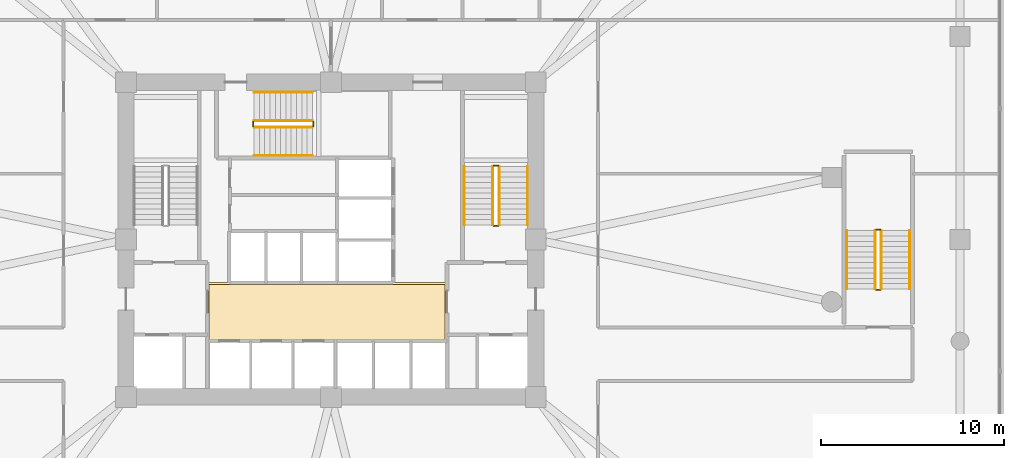
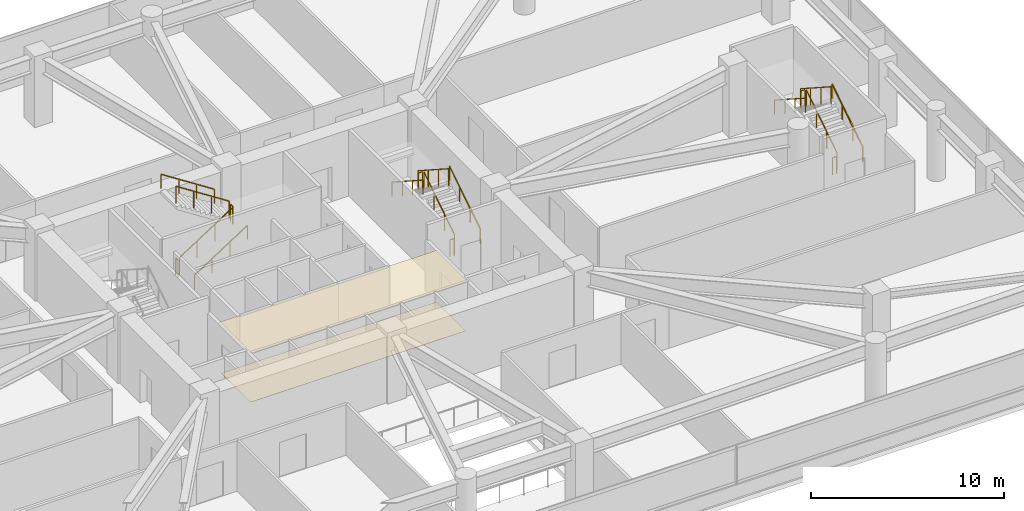
# One storey, part 21 of 21: 18 railings, 2 coverings.
"""IFC4 building model written with IfcOpenShell, lengths in metres."""

from ifc_helpers import new_model, si_unit, derived_unit, direction, frame, origin, origin_2d, place, context, subcontext, project, spatial, polyline, rectangle, outline, extrude, material, layer, layer_set, type_object, element, save


model = new_model("IFC4")

# Units and contexts
model_context = context("Model", 3, precision=1e-05, world=origin(), true_north=direction((0.0, 1.0)))
body_context = subcontext(model_context, "Body", "Model", "MODEL_VIEW")
ifc_project = project(units=[si_unit("LENGTHUNIT", "METRE"), si_unit("AREAUNIT", "SQUARE_METRE"), si_unit("VOLUMEUNIT", "CUBIC_METRE"), si_unit("PLANEANGLEUNIT", "RADIAN"), si_unit("MASSUNIT", "GRAM", prefix="KILO"), derived_unit("THERMALTRANSMITTANCEUNIT", [(si_unit("POWERUNIT", "WATT"), 1), (si_unit("LENGTHUNIT", "METRE"), -2), (si_unit("THERMODYNAMICTEMPERATUREUNIT", "KELVIN"), -1)])], contexts=[model_context])

# Site, building, storey
site_placement = place(None, origin())
site = spatial("IfcSite", under=ifc_project, at=site_placement, CompositionType="ELEMENT")
building_placement = place(site_placement, origin())
building = spatial("IfcBuilding", under=site, at=building_placement, Name="Koralith Skygarden Medical Center", CompositionType="ELEMENT")
storey_placement = place(building_placement, frame((0.0, 0.0, 5.39990234375)))
storey = spatial("IfcBuildingStorey", under=building, at=storey_placement, Name="L01", CompositionType="ELEMENT", Elevation=5.39990234375)

# Coverings
ifc_material_1 = material(Name="Acoustic Mineral Tile")
ifc_layer_1 = layer(ifc_material_1, 0.02001953125)
ifc_layer_set_1 = layer_set([ifc_layer_1], Name="Acoustic Mineral Tile")
covering_type_1 = type_object("IfcCoveringType", Name="Acoustic Hygienic Mineral Ceiling 20", PredefinedType="CEILING", material=ifc_layer_set_1)
covering_1_placement = place(storey_placement, frame((0.0, 0.0, 3.18505859375)))
element("IfcCovering", 1, at=covering_1_placement, inside=storey, type_object=covering_type_1, Name="L01 Core Lobby Acoustic Ceiling", PredefinedType="CEILING", context=body_context, shape_type="SweptSolid", body=[
    extrude(outline(polyline([(30.25, 20.320068359375), (43.35009765625, 20.320068359375), (43.35009765625, 23.56005859375), (30.25, 23.56005859375), (30.25, 20.320068359375)])), origin(), (0.0, 0.0, 1.0), 0.02001953125),
])
ifc_material_2 = material(Name="Medical Terrazzo Flooring")
ifc_layer_2 = layer(ifc_material_2, 0.014892578125)
ifc_layer_set_2 = layer_set([ifc_layer_2], Name="Medical Terrazzo Flooring")
covering_type_2 = type_object("IfcCoveringType", Name="Seamless Antimicrobial Terrazzo Flooring 15", PredefinedType="FLOORING", material=ifc_layer_set_2)
covering_2_placement = place(storey_placement, origin())
element("IfcCovering", 2, at=covering_2_placement, inside=storey, type_object=covering_type_2, Name="L01 Core Lobby Terrazzo Flooring", PredefinedType="FLOORING", context=body_context, shape_type="SweptSolid", body=[
    extrude(outline(polyline([(30.35009765625, 20.419921875), (43.25, 20.419921875), (43.25, 23.4599609375), (30.35009765625, 23.4599609375), (30.35009765625, 20.419921875)])), origin(), (0.0, 0.0, 1.0), 0.01513671875),
])

# Railings
ifc_material_3 = material(Name="Steel ASTM A500 Grade C", Category="steel")
railing_type_1 = type_object("IfcRailingType", Name="Stair Flight Tubular Handrail 920", PredefinedType="HANDRAIL", material=ifc_material_3)
railing_1_placement = place(storey_placement, frame((47.75, 26.699951171875, 0.1875)))
element("IfcRailing", 3, at=railing_1_placement, inside=storey, type_object=railing_type_1, Name="L01 ST2 stair handrail 1", PredefinedType="HANDRAIL", context=body_context, shape_type="SweptSolid", body=[
    extrude(rectangle(XDim=0.050048828125, YDim=0.050048828125, at=origin_2d()), frame((0.0, 0.001708984375, 0.89599609375), z_axis=(0.0, 0.839759782654, 0.542958108362), x_axis=(-1.0, 0.0, 0.0)), (0.0, 0.0, 1.0), 3.794677734375),
    extrude(rectangle(XDim=0.0419921875, YDim=0.0419921875, at=origin_2d()), origin(), (0.0, 0.0, 1.0), 0.867919921875),
    extrude(rectangle(XDim=0.0419921875, YDim=0.0419921875, at=origin_2d()), frame((0.0, 1.063232421875, 0.6875)), (0.0, 0.0, 1.0), 0.867919921875),
    extrude(rectangle(XDim=0.0419921875, YDim=0.0419921875, at=origin_2d()), frame((0.0, 2.126708984375, 1.375)), (0.0, 0.0, 1.0), 0.867919921875),
    extrude(rectangle(XDim=0.0419921875, YDim=0.0419921875, at=origin_2d()), frame((0.0, 3.18994140625, 2.0625)), (0.0, 0.0, 1.0), 0.867919921875),
])
railing_2_placement = place(storey_placement, frame((44.300048828125, 29.889892578125, 2.4375)))
element("IfcRailing", 4, at=railing_2_placement, inside=storey, type_object=railing_type_1, Name="L01 ST2 stair handrail 2", PredefinedType="HANDRAIL", context=body_context, shape_type="SweptSolid", body=[
    extrude(rectangle(XDim=0.050048828125, YDim=0.050048828125, at=origin_2d()), frame((0.0, -0.001708984375, 0.89599609375), z_axis=(0.0, -0.839759782654, 0.542958108362), x_axis=(1.0, 0.0, 0.0)), (0.0, 0.0, 1.0), 3.794677734375),
    extrude(rectangle(XDim=0.0419921875, YDim=0.0419921875, at=origin_2d()), origin(), (0.0, 0.0, 1.0), 0.867919921875),
    extrude(rectangle(XDim=0.0419921875, YDim=0.0419921875, at=origin_2d()), frame((0.0, -1.063232421875, 0.6875)), (0.0, 0.0, 1.0), 0.867919921875),
    extrude(rectangle(XDim=0.0419921875, YDim=0.0419921875, at=origin_2d()), frame((0.0, -2.126708984375, 1.375)), (0.0, 0.0, 1.0), 0.867919921875),
    extrude(rectangle(XDim=0.0419921875, YDim=0.0419921875, at=origin_2d()), frame((0.0, -3.18994140625, 2.0625)), (0.0, 0.0, 1.0), 0.867919921875),
])
railing_3_placement = place(storey_placement, frame((32.800048828125, 30.5, 0.1875)))
element("IfcRailing", 5, at=railing_3_placement, inside=storey, type_object=railing_type_1, Name="L01 ST3 stair handrail 1", PredefinedType="HANDRAIL", context=body_context, shape_type="SweptSolid", body=[
    extrude(rectangle(XDim=0.050048828125, YDim=0.050048828125, at=origin_2d()), frame((0.001708984375, 0.0, 0.89599609375), z_axis=(0.839759782654, 0.0, 0.542958108362), x_axis=(0.0, 1.0, 0.0)), (0.0, 0.0, 1.0), 3.794677734375),
    extrude(rectangle(XDim=0.0419921875, YDim=0.0419921875, at=origin_2d()), origin(), (0.0, 0.0, 1.0), 0.867919921875),
    extrude(rectangle(XDim=0.0419921875, YDim=0.0419921875, at=origin_2d()), frame((1.063232421875, 0.0, 0.6875)), (0.0, 0.0, 1.0), 0.867919921875),
    extrude(rectangle(XDim=0.0419921875, YDim=0.0419921875, at=origin_2d()), frame((2.126708984375, 0.0, 1.375)), (0.0, 0.0, 1.0), 0.867919921875),
    extrude(rectangle(XDim=0.0419921875, YDim=0.0419921875, at=origin_2d()), frame((3.18994140625, 0.0, 2.0625)), (0.0, 0.0, 1.0), 0.867919921875),
])
railing_4_placement = place(storey_placement, frame((35.989990234375, 33.949951171875, 2.4375)))
element("IfcRailing", 6, at=railing_4_placement, inside=storey, type_object=railing_type_1, Name="L01 ST3 stair handrail 2", PredefinedType="HANDRAIL", context=body_context, shape_type="SweptSolid", body=[
    extrude(rectangle(XDim=0.050048828125, YDim=0.050048828125, at=origin_2d()), frame((-0.001708984375, 0.0, 0.89599609375), z_axis=(-0.839759782654, 0.0, 0.542958108362), x_axis=(0.0, -1.0, 0.0)), (0.0, 0.0, 1.0), 3.794677734375),
    extrude(rectangle(XDim=0.0419921875, YDim=0.0419921875, at=origin_2d()), origin(), (0.0, 0.0, 1.0), 0.867919921875),
    extrude(rectangle(XDim=0.0419921875, YDim=0.0419921875, at=origin_2d()), frame((-1.063232421875, 0.0, 0.6875)), (0.0, 0.0, 1.0), 0.867919921875),
    extrude(rectangle(XDim=0.0419921875, YDim=0.0419921875, at=origin_2d()), frame((-2.126708984375, 0.0, 1.375)), (0.0, 0.0, 1.0), 0.867919921875),
    extrude(rectangle(XDim=0.0419921875, YDim=0.0419921875, at=origin_2d()), frame((-3.18994140625, 0.0, 2.0625)), (0.0, 0.0, 1.0), 0.867919921875),
])
railing_5_placement = place(storey_placement, frame((68.64990234375, 23.199951171875, 0.1875)))
element("IfcRailing", 7, at=railing_5_placement, inside=storey, type_object=railing_type_1, Name="L01 ST5 stair handrail 1", PredefinedType="HANDRAIL", context=body_context, shape_type="SweptSolid", body=[
    extrude(rectangle(XDim=0.050048828125, YDim=0.050048828125, at=origin_2d()), frame((0.0, 0.001708984375, 0.89599609375), z_axis=(0.0, 0.839759782654, 0.542958108362), x_axis=(-1.0, 0.0, 0.0)), (0.0, 0.0, 1.0), 3.794677734375),
    extrude(rectangle(XDim=0.0419921875, YDim=0.0419921875, at=origin_2d()), origin(), (0.0, 0.0, 1.0), 0.867919921875),
    extrude(rectangle(XDim=0.0419921875, YDim=0.0419921875, at=origin_2d()), frame((0.0, 1.063232421875, 0.6875)), (0.0, 0.0, 1.0), 0.867919921875),
    extrude(rectangle(XDim=0.0419921875, YDim=0.0419921875, at=origin_2d()), frame((0.0, 2.126708984375, 1.375)), (0.0, 0.0, 1.0), 0.867919921875),
    extrude(rectangle(XDim=0.0419921875, YDim=0.0419921875, at=origin_2d()), frame((0.0, 3.18994140625, 2.0625)), (0.0, 0.0, 1.0), 0.867919921875),
])
railing_6_placement = place(storey_placement, frame((65.199951171875, 26.389892578125, 2.4375)))
element("IfcRailing", 8, at=railing_6_placement, inside=storey, type_object=railing_type_1, Name="L01 ST5 stair handrail 2", PredefinedType="HANDRAIL", context=body_context, shape_type="SweptSolid", body=[
    extrude(rectangle(XDim=0.050048828125, YDim=0.050048828125, at=origin_2d()), frame((0.0, -0.001708984375, 0.89599609375), z_axis=(0.0, -0.839759782654, 0.542958108362), x_axis=(1.0, 0.0, 0.0)), (0.0, 0.0, 1.0), 3.794677734375),
    extrude(rectangle(XDim=0.0419921875, YDim=0.0419921875, at=origin_2d()), origin(), (0.0, 0.0, 1.0), 0.867919921875),
    extrude(rectangle(XDim=0.0419921875, YDim=0.0419921875, at=origin_2d()), frame((0.0, -1.063232421875, 0.6875)), (0.0, 0.0, 1.0), 0.867919921875),
    extrude(rectangle(XDim=0.0419921875, YDim=0.0419921875, at=origin_2d()), frame((0.0, -2.126708984375, 1.375)), (0.0, 0.0, 1.0), 0.867919921875),
    extrude(rectangle(XDim=0.0419921875, YDim=0.0419921875, at=origin_2d()), frame((0.0, -3.18994140625, 2.0625)), (0.0, 0.0, 1.0), 0.867919921875),
])
railing_type_2 = type_object("IfcRailingType", Name="Stair Well Safety Guardrail 1100", PredefinedType="GUARDRAIL", material=ifc_material_3)
railing_7_placement = place(storey_placement, frame((46.199951171875, 26.699951171875, 0.1875)))
element("IfcRailing", 9, at=railing_7_placement, inside=storey, type_object=railing_type_2, Name="L01 ST2 stair guard 1", PredefinedType="GUARDRAIL", context=body_context, shape_type="SweptSolid", body=[
    extrude(rectangle(XDim=0.050048828125, YDim=0.050048828125, at=origin_2d()), frame((0.0, 0.001708984375, 1.076171875), z_axis=(0.0, 0.839759782654, 0.542958108362), x_axis=(-1.0, 0.0, 0.0)), (0.0, 0.0, 1.0), 3.794677734375),
    extrude(rectangle(XDim=0.0419921875, YDim=0.0419921875, at=origin_2d()), origin(), (0.0, 0.0, 1.0), 1.048095703125),
    extrude(rectangle(XDim=0.0419921875, YDim=0.0419921875, at=origin_2d()), frame((0.0, 1.063232421875, 0.6875)), (0.0, 0.0, 1.0), 1.048095703125),
    extrude(rectangle(XDim=0.0419921875, YDim=0.0419921875, at=origin_2d()), frame((0.0, 2.126708984375, 1.375)), (0.0, 0.0, 1.0), 1.048095703125),
    extrude(rectangle(XDim=0.0419921875, YDim=0.0419921875, at=origin_2d()), frame((0.0, 3.18994140625, 2.0625)), (0.0, 0.0, 1.0), 1.048095703125),
])
railing_8_placement = place(storey_placement, frame((46.14990234375, 29.93994140625, 2.25)))
element("IfcRailing", 10, at=railing_8_placement, inside=storey, type_object=railing_type_2, Name="L01 ST2 stair guard 2", PredefinedType="GUARDRAIL", context=body_context, shape_type="SweptSolid", body=[
    extrude(rectangle(XDim=0.050048828125, YDim=0.050048828125, at=origin_2d()), frame((-0.001953125, 0.0, 1.0751953125), z_axis=(-1.0, 0.0, 0.0), x_axis=(0.0, -1.0, 0.0)), (0.0, 0.0, 1.0), 0.24609375),
    extrude(rectangle(XDim=0.0419921875, YDim=0.0419921875, at=origin_2d()), origin(), (0.0, 0.0, 1.0), 1.048095703125),
    extrude(rectangle(XDim=0.0419921875, YDim=0.0419921875, at=origin_2d()), frame((-0.25, 0.0, 0.0)), (0.0, 0.0, 1.0), 1.048095703125),
])
railing_9_placement = place(storey_placement, frame((45.85009765625, 29.889892578125, 2.4375)))
element("IfcRailing", 11, at=railing_9_placement, inside=storey, type_object=railing_type_2, Name="L01 ST2 stair guard 3", PredefinedType="GUARDRAIL", context=body_context, shape_type="SweptSolid", body=[
    extrude(rectangle(XDim=0.050048828125, YDim=0.050048828125, at=origin_2d()), frame((0.0, -0.001708984375, 1.076171875), z_axis=(0.0, -0.839759782654, 0.542958108362), x_axis=(1.0, 0.0, 0.0)), (0.0, 0.0, 1.0), 3.794677734375),
    extrude(rectangle(XDim=0.0419921875, YDim=0.0419921875, at=origin_2d()), origin(), (0.0, 0.0, 1.0), 1.048095703125),
    extrude(rectangle(XDim=0.0419921875, YDim=0.0419921875, at=origin_2d()), frame((0.0, -1.063232421875, 0.6875)), (0.0, 0.0, 1.0), 1.048095703125),
    extrude(rectangle(XDim=0.0419921875, YDim=0.0419921875, at=origin_2d()), frame((0.0, -2.126708984375, 1.375)), (0.0, 0.0, 1.0), 1.048095703125),
    extrude(rectangle(XDim=0.0419921875, YDim=0.0419921875, at=origin_2d()), frame((0.0, -3.18994140625, 2.0625)), (0.0, 0.0, 1.0), 1.048095703125),
])
railing_10_placement = place(storey_placement, frame((46.14990234375, 26.64990234375, 0.0)))
element("IfcRailing", 12, at=railing_10_placement, inside=storey, type_object=railing_type_2, Name="L01 ST2 stair guard 4", PredefinedType="GUARDRAIL", context=body_context, shape_type="SweptSolid", body=[
    extrude(rectangle(XDim=0.050048828125, YDim=0.050048828125, at=origin_2d()), frame((-0.001953125, 0.0, 1.0751953125), z_axis=(-1.0, 0.0, 0.0), x_axis=(0.0, -1.0, 0.0)), (0.0, 0.0, 1.0), 0.24609375),
    extrude(rectangle(XDim=0.0419921875, YDim=0.0419921875, at=origin_2d()), origin(), (0.0, 0.0, 1.0), 1.048095703125),
    extrude(rectangle(XDim=0.0419921875, YDim=0.0419921875, at=origin_2d()), frame((-0.25, 0.0, 0.0)), (0.0, 0.0, 1.0), 1.048095703125),
])
railing_11_placement = place(storey_placement, frame((32.800048828125, 32.050048828125, 0.1875)))
element("IfcRailing", 13, at=railing_11_placement, inside=storey, type_object=railing_type_2, Name="L01 ST3 stair guard 1", PredefinedType="GUARDRAIL", context=body_context, shape_type="SweptSolid", body=[
    extrude(rectangle(XDim=0.050048828125, YDim=0.050048828125, at=origin_2d()), frame((0.001708984375, 0.0, 1.076171875), z_axis=(0.839759782654, 0.0, 0.542958108362), x_axis=(0.0, 1.0, 0.0)), (0.0, 0.0, 1.0), 3.794677734375),
    extrude(rectangle(XDim=0.0419921875, YDim=0.0419921875, at=origin_2d()), origin(), (0.0, 0.0, 1.0), 1.048095703125),
    extrude(rectangle(XDim=0.0419921875, YDim=0.0419921875, at=origin_2d()), frame((1.063232421875, 0.0, 0.6875)), (0.0, 0.0, 1.0), 1.048095703125),
    extrude(rectangle(XDim=0.0419921875, YDim=0.0419921875, at=origin_2d()), frame((2.126708984375, 0.0, 1.375)), (0.0, 0.0, 1.0), 1.048095703125),
    extrude(rectangle(XDim=0.0419921875, YDim=0.0419921875, at=origin_2d()), frame((3.18994140625, 0.0, 2.0625)), (0.0, 0.0, 1.0), 1.048095703125),
])
railing_12_placement = place(storey_placement, frame((36.0400390625, 32.10009765625, 2.25)))
element("IfcRailing", 14, at=railing_12_placement, inside=storey, type_object=railing_type_2, Name="L01 ST3 stair guard 2", PredefinedType="GUARDRAIL", context=body_context, shape_type="SweptSolid", body=[
    extrude(rectangle(XDim=0.050048828125, YDim=0.050048828125, at=origin_2d()), frame((0.0, 0.001953125, 1.0751953125), z_axis=(0.0, 1.0, 0.0), x_axis=(-1.0, 0.0, 0.0)), (0.0, 0.0, 1.0), 0.24609375),
    extrude(rectangle(XDim=0.0419921875, YDim=0.0419921875, at=origin_2d()), origin(), (0.0, 0.0, 1.0), 1.048095703125),
    extrude(rectangle(XDim=0.0419921875, YDim=0.0419921875, at=origin_2d()), frame((0.0, 0.25, 0.0)), (0.0, 0.0, 1.0), 1.048095703125),
])
railing_13_placement = place(storey_placement, frame((35.989990234375, 32.39990234375, 2.4375)))
element("IfcRailing", 15, at=railing_13_placement, inside=storey, type_object=railing_type_2, Name="L01 ST3 stair guard 3", PredefinedType="GUARDRAIL", context=body_context, shape_type="SweptSolid", body=[
    extrude(rectangle(XDim=0.050048828125, YDim=0.050048828125, at=origin_2d()), frame((-0.001708984375, 0.0, 1.076171875), z_axis=(-0.839759782654, 0.0, 0.542958108362), x_axis=(0.0, -1.0, 0.0)), (0.0, 0.0, 1.0), 3.794677734375),
    extrude(rectangle(XDim=0.0419921875, YDim=0.0419921875, at=origin_2d()), origin(), (0.0, 0.0, 1.0), 1.048095703125),
    extrude(rectangle(XDim=0.0419921875, YDim=0.0419921875, at=origin_2d()), frame((-1.063232421875, 0.0, 0.6875)), (0.0, 0.0, 1.0), 1.048095703125),
    extrude(rectangle(XDim=0.0419921875, YDim=0.0419921875, at=origin_2d()), frame((-2.126708984375, 0.0, 1.375)), (0.0, 0.0, 1.0), 1.048095703125),
    extrude(rectangle(XDim=0.0419921875, YDim=0.0419921875, at=origin_2d()), frame((-3.18994140625, 0.0, 2.0625)), (0.0, 0.0, 1.0), 1.048095703125),
])
railing_14_placement = place(storey_placement, frame((32.75, 32.10009765625, 0.0)))
element("IfcRailing", 16, at=railing_14_placement, inside=storey, type_object=railing_type_2, Name="L01 ST3 stair guard 4", PredefinedType="GUARDRAIL", context=body_context, shape_type="SweptSolid", body=[
    extrude(rectangle(XDim=0.050048828125, YDim=0.050048828125, at=origin_2d()), frame((0.0, 0.001953125, 1.0751953125), z_axis=(0.0, 1.0, 0.0), x_axis=(-1.0, 0.0, 0.0)), (0.0, 0.0, 1.0), 0.24609375),
    extrude(rectangle(XDim=0.0419921875, YDim=0.0419921875, at=origin_2d()), origin(), (0.0, 0.0, 1.0), 1.048095703125),
    extrude(rectangle(XDim=0.0419921875, YDim=0.0419921875, at=origin_2d()), frame((0.0, 0.25, 0.0)), (0.0, 0.0, 1.0), 1.048095703125),
])
railing_15_placement = place(storey_placement, frame((67.10009765625, 23.199951171875, 0.1875)))
element("IfcRailing", 17, at=railing_15_placement, inside=storey, type_object=railing_type_2, Name="L01 ST5 stair guard 1", PredefinedType="GUARDRAIL", context=body_context, shape_type="SweptSolid", body=[
    extrude(rectangle(XDim=0.050048828125, YDim=0.050048828125, at=origin_2d()), frame((0.0, 0.001708984375, 1.076171875), z_axis=(0.0, 0.839759782654, 0.542958108362), x_axis=(-1.0, 0.0, 0.0)), (0.0, 0.0, 1.0), 3.794677734375),
    extrude(rectangle(XDim=0.0419921875, YDim=0.0419921875, at=origin_2d()), origin(), (0.0, 0.0, 1.0), 1.048095703125),
    extrude(rectangle(XDim=0.0419921875, YDim=0.0419921875, at=origin_2d()), frame((0.0, 1.063232421875, 0.6875)), (0.0, 0.0, 1.0), 1.048095703125),
    extrude(rectangle(XDim=0.0419921875, YDim=0.0419921875, at=origin_2d()), frame((0.0, 2.126708984375, 1.375)), (0.0, 0.0, 1.0), 1.048095703125),
    extrude(rectangle(XDim=0.0419921875, YDim=0.0419921875, at=origin_2d()), frame((0.0, 3.18994140625, 2.0625)), (0.0, 0.0, 1.0), 1.048095703125),
])
railing_16_placement = place(storey_placement, frame((67.050048828125, 26.43994140625, 2.25)))
element("IfcRailing", 18, at=railing_16_placement, inside=storey, type_object=railing_type_2, Name="L01 ST5 stair guard 2", PredefinedType="GUARDRAIL", context=body_context, shape_type="SweptSolid", body=[
    extrude(rectangle(XDim=0.050048828125, YDim=0.050048828125, at=origin_2d()), frame((-0.001953125, 0.0, 1.0751953125), z_axis=(-1.0, 0.0, 0.0), x_axis=(0.0, -1.0, 0.0)), (0.0, 0.0, 1.0), 0.24609375),
    extrude(rectangle(XDim=0.0419921875, YDim=0.0419921875, at=origin_2d()), origin(), (0.0, 0.0, 1.0), 1.048095703125),
    extrude(rectangle(XDim=0.0419921875, YDim=0.0419921875, at=origin_2d()), frame((-0.25, 0.0, 0.0)), (0.0, 0.0, 1.0), 1.048095703125),
])
railing_17_placement = place(storey_placement, frame((66.75, 26.389892578125, 2.4375)))
element("IfcRailing", 19, at=railing_17_placement, inside=storey, type_object=railing_type_2, Name="L01 ST5 stair guard 3", PredefinedType="GUARDRAIL", context=body_context, shape_type="SweptSolid", body=[
    extrude(rectangle(XDim=0.050048828125, YDim=0.050048828125, at=origin_2d()), frame((0.0, -0.001708984375, 1.076171875), z_axis=(0.0, -0.839759782654, 0.542958108362), x_axis=(1.0, 0.0, 0.0)), (0.0, 0.0, 1.0), 3.794677734375),
    extrude(rectangle(XDim=0.0419921875, YDim=0.0419921875, at=origin_2d()), origin(), (0.0, 0.0, 1.0), 1.048095703125),
    extrude(rectangle(XDim=0.0419921875, YDim=0.0419921875, at=origin_2d()), frame((0.0, -1.063232421875, 0.6875)), (0.0, 0.0, 1.0), 1.048095703125),
    extrude(rectangle(XDim=0.0419921875, YDim=0.0419921875, at=origin_2d()), frame((0.0, -2.126708984375, 1.375)), (0.0, 0.0, 1.0), 1.048095703125),
    extrude(rectangle(XDim=0.0419921875, YDim=0.0419921875, at=origin_2d()), frame((0.0, -3.18994140625, 2.0625)), (0.0, 0.0, 1.0), 1.048095703125),
])
railing_18_placement = place(storey_placement, frame((67.050048828125, 23.14990234375, 0.0)))
element("IfcRailing", 20, at=railing_18_placement, inside=storey, type_object=railing_type_2, Name="L01 ST5 stair guard 4", PredefinedType="GUARDRAIL", context=body_context, shape_type="SweptSolid", body=[
    extrude(rectangle(XDim=0.050048828125, YDim=0.050048828125, at=origin_2d()), frame((-0.001953125, 0.0, 1.0751953125), z_axis=(-1.0, 0.0, 0.0), x_axis=(0.0, -1.0, 0.0)), (0.0, 0.0, 1.0), 0.24609375),
    extrude(rectangle(XDim=0.0419921875, YDim=0.0419921875, at=origin_2d()), origin(), (0.0, 0.0, 1.0), 1.048095703125),
    extrude(rectangle(XDim=0.0419921875, YDim=0.0419921875, at=origin_2d()), frame((-0.25, 0.0, 0.0)), (0.0, 0.0, 1.0), 1.048095703125),
])

save(model, "model.ifc")
